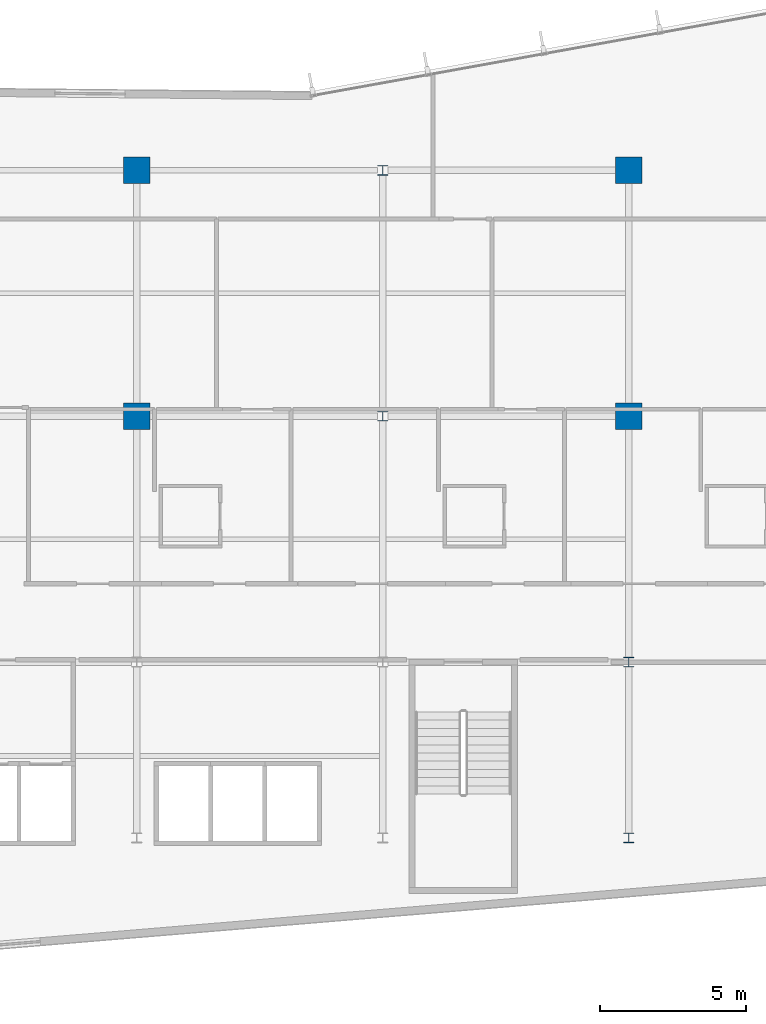
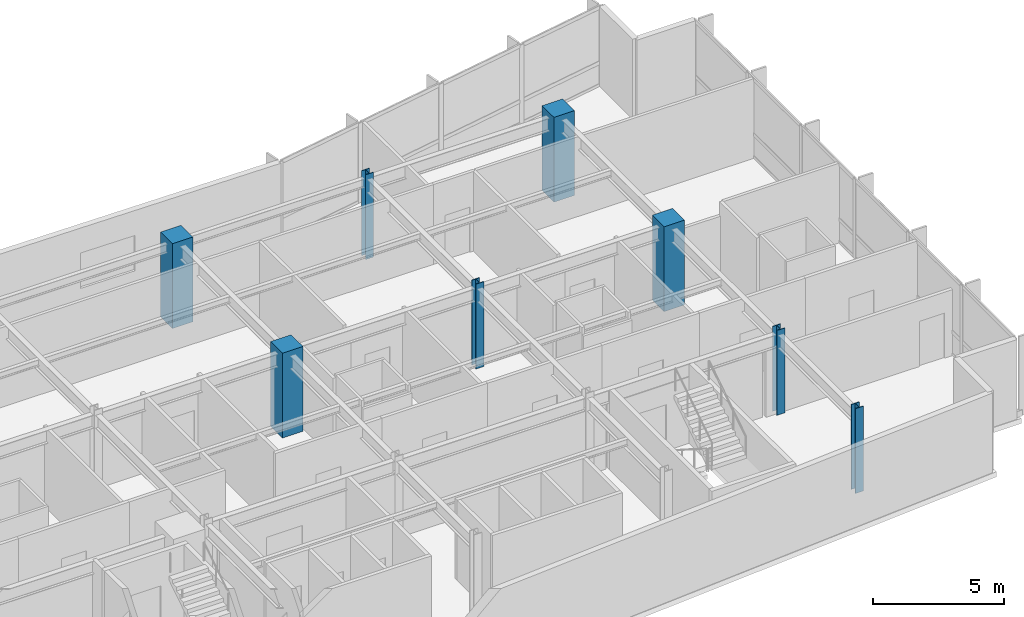
# One storey, part 2 of 20: 8 columns.
"""IFC4 building model written with IfcOpenShell, lengths in metres."""

from ifc_helpers import new_model, si_unit, direction, frame, origin, origin_2d, place, context, subcontext, project, spatial, rectangle, i_section, extrude, material, material_profile, profile_set, type_object, element, save


model = new_model("IFC4")

# Units and contexts
model_context = context("Model", 3, precision=1e-05, world=origin(), true_north=direction((0.0, 1.0)))
body_context = subcontext(model_context, "Body", "Model", "MODEL_VIEW")
ifc_project = project(units=[si_unit("LENGTHUNIT", "METRE"), si_unit("AREAUNIT", "SQUARE_METRE"), si_unit("VOLUMEUNIT", "CUBIC_METRE"), si_unit("PLANEANGLEUNIT", "RADIAN"), si_unit("MASSUNIT", "GRAM", prefix="KILO")], contexts=[model_context])

# Site, building, storey
site_placement = place(None, origin())
site = spatial("IfcSite", under=ifc_project, at=site_placement, CompositionType="ELEMENT")
building_placement = place(site_placement, origin())
building = spatial("IfcBuilding", under=site, at=building_placement, Name="Varnakote Quay Hospital", CompositionType="ELEMENT")
storey_placement = place(building_placement, frame((0.0, 0.0, 26.449951171875)))
storey = spatial("IfcBuildingStorey", under=building, at=storey_placement, Name="L06", CompositionType="ELEMENT", Elevation=26.449951171875)

# Columns
ifc_material_1 = material(Name="Concrete N50 (f'c 50 MPa)", Category="concrete")
ifc_material_profile_1 = material_profile(ifc_material_1, rectangle(XDim=0.89990234375, YDim=0.89990234375, at=origin_2d()), Name="RC-COL-900x900")
ifc_profile_set_1 = profile_set([ifc_material_profile_1], Name="Concrete N50 (f'c 50 MPa)")
column_type_1 = type_object("IfcColumnType", Name="COL-RC-900", PredefinedType="COLUMN", material=ifc_profile_set_1)
for number, where, z_axis, x_axis, name in (
    (1, (33.60009765625, 20.39990234375, 0.0), (0.0, 0.0, 1.0), (1.0, 0.0, 0.0), "L06 Structural Column C-34-20"),
    (2, (50.39990234375, 20.39990234375, 0.0), (0.0, 0.0, 1.0), (1.0, 0.0, 0.0), "L06 Structural Column C-50-20"),
    (3, (33.60009765625, 28.800048828125, 0.0), (0.0, 0.0, 1.0), (1.0, 0.0, 0.0), "L06 Structural Column C-34-29"),
    (4, (50.39990234375, 28.800048828125, 0.0), (0.0, 0.0, 1.0), (1.0, 0.0, 0.0), "L06 Structural Column C-50-29"),
):
    element("IfcColumn", number, at=place(storey_placement, frame(where, z_axis=z_axis, x_axis=x_axis)), inside=storey, type_object=column_type_1, Name=name, PredefinedType="COLUMN", context=body_context, shape_type="SweptSolid", body=[
        extrude(rectangle(XDim=0.89990234375, YDim=0.89990234375, at=origin_2d()), origin(), (0.0, 0.0, 1.0), 3.949951171875),
    ])
ifc_material_2 = material(Name="Structural steel AS/NZS 3678 Grade 350 (fy 340 MPa)", Category="steel")
ifc_material_profile_2 = material_profile(ifc_material_2, i_section(OverallWidth=0.35009765625, OverallDepth=0.340087890625, WebThickness=0.01611328125, FlangeThickness=0.028076171875, at=origin_2d()), Name="350WC197")
ifc_profile_set_2 = profile_set([ifc_material_profile_2], Name="Structural steel AS/NZS 3678 Grade 350 (fy 340 MPa)")
column_type_2 = type_object("IfcColumnType", Name="COL-STL-350WC197", PredefinedType="COLUMN", material=ifc_profile_set_2)
for number, where, z_axis, x_axis, name in (
    (5, (50.39990234375, 6.0, 0.0), (0.0, 0.0, 1.0), (1.0, 0.0, 0.0), "L06 Structural Column C-50-6"),
    (6, (50.39990234375, 12.0, 0.0), (0.0, 0.0, 1.0), (1.0, 0.0, 0.0), "L06 Structural Column C-50-12"),
    (7, (42.0, 20.39990234375, 0.0), (0.0, 0.0, 1.0), (1.0, 0.0, 0.0), "L06 Structural Column C-42-20"),
    (8, (42.0, 28.800048828125, 0.0), (0.0, 0.0, 1.0), (1.0, 0.0, 0.0), "L06 Structural Column C-42-29"),
):
    element("IfcColumn", number, at=place(storey_placement, frame(where, z_axis=z_axis, x_axis=x_axis)), inside=storey, type_object=column_type_2, Name=name, PredefinedType="COLUMN", context=body_context, shape_type="SweptSolid", body=[
        extrude(i_section(OverallWidth=0.35009765625, OverallDepth=0.340087890625, WebThickness=0.01611328125, FlangeThickness=0.028076171875, at=origin_2d()), origin(), (0.0, 0.0, 1.0), 3.949951171875),
    ])

save(model, "model.ifc")
